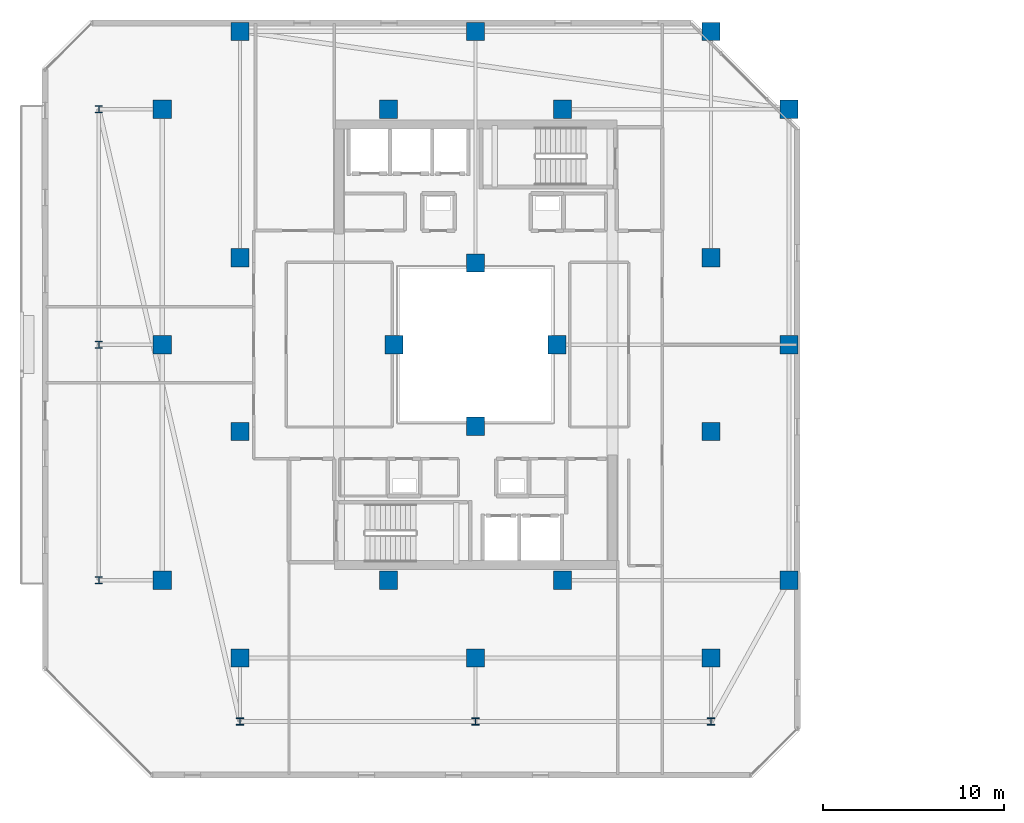
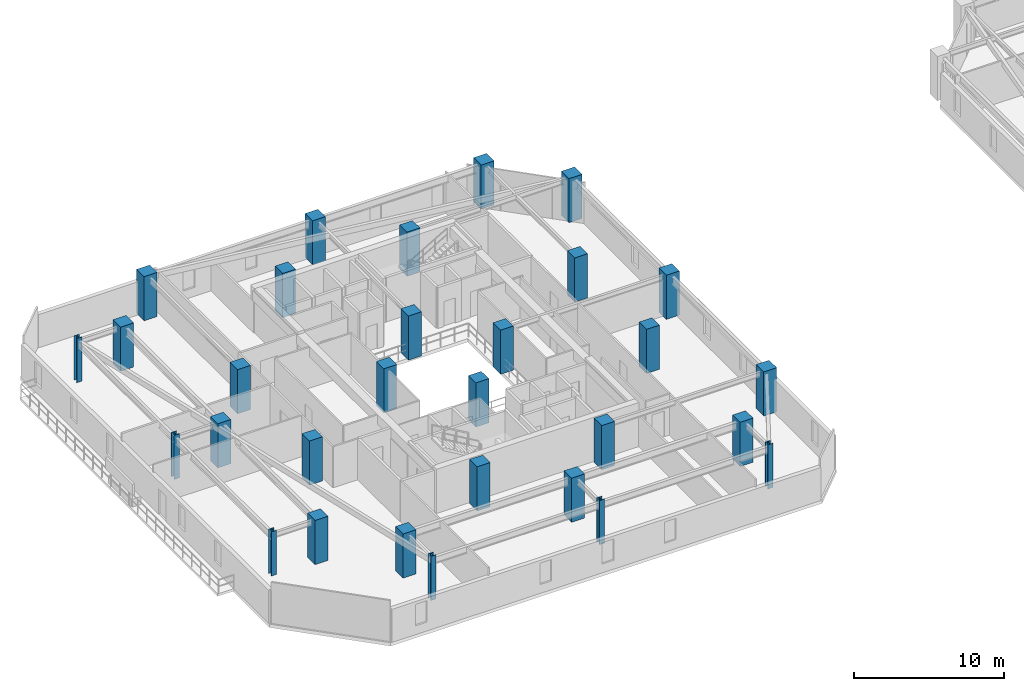
# One storey, part 1 of 31: 30 columns.
"""IFC4 building model written with IfcOpenShell, lengths in metres."""

from ifc_helpers import new_model, si_unit, direction, frame, origin, origin_2d, place, context, subcontext, project, spatial, rectangle, i_section, extrude, material, material_profile, profile_set, type_object, element, save


model = new_model("IFC4")

# Units and contexts
model_context = context("Model", 3, precision=1e-05, world=origin(), true_north=direction((0.0, 1.0)))
body_context = subcontext(model_context, "Body", "Model", "MODEL_VIEW")
ifc_project = project(units=[si_unit("LENGTHUNIT", "METRE"), si_unit("AREAUNIT", "SQUARE_METRE"), si_unit("VOLUMEUNIT", "CUBIC_METRE"), si_unit("PLANEANGLEUNIT", "RADIAN"), si_unit("MASSUNIT", "GRAM", prefix="KILO")], contexts=[model_context])

# Site, building, storey
site_placement = place(None, origin())
site = spatial("IfcSite", under=ifc_project, at=site_placement, CompositionType="ELEMENT")
building_placement = place(site_placement, origin())
building = spatial("IfcBuilding", under=site, at=building_placement, Name="Thornwick Lancets Civic Towers", CompositionType="ELEMENT")
storey_placement = place(building_placement, frame((0.0, 0.0, 233.10009765625)))
storey = spatial("IfcBuildingStorey", under=building, at=storey_placement, Name="L62", CompositionType="ELEMENT", Elevation=233.10009765625)

# Columns
ifc_material_1 = material(Name="Concrete C50/60", Category="concrete")
ifc_material_profile_1 = material_profile(ifc_material_1, rectangle(XDim=1.0, YDim=1.0, at=origin_2d()), Name="RC 1000x1000")
ifc_profile_set_1 = profile_set([ifc_material_profile_1], Name="Concrete C50/60")
column_type_1 = type_object("IfcColumnType", Name="COL_RC_1000", PredefinedType="COLUMN", material=ifc_profile_set_1)
for number, where, z_axis, x_axis, name in (
    (1, (12.5, 9.699951171875, 0.0), (0.0, 0.0, 1.0), (1.0, 0.0, 0.0), "L62 Spine Mega-Column A01"),
    (2, (25.5, 9.699951171875, 0.0), (0.0, 0.0, 1.0), (1.0, 0.0, 0.0), "L62 Spine Mega-Column A02"),
    (3, (38.5, 9.699951171875, 0.0), (0.0, 0.0, 1.0), (1.0, 0.0, 0.0), "L62 Spine Mega-Column A03"),
    (4, (42.800048828125, 14.0, 0.0), (0.0, 0.0, 1.0), (1.0, 0.0, 0.0), "L62 Spine Mega-Column A04"),
    (5, (42.800048828125, 27.0, 0.0), (0.0, 0.0, 1.0), (1.0, 0.0, 0.0), "L62 Spine Mega-Column A05"),
    (6, (42.800048828125, 40.0, 0.0), (0.0, 0.0, 1.0), (1.0, 0.0, 0.0), "L62 Spine Mega-Column A06"),
    (7, (12.5, 44.300048828125, 0.0), (0.0, 0.0, 1.0), (1.0, 0.0, 0.0), "L62 Spine Mega-Column A07"),
    (8, (25.5, 44.300048828125, 0.0), (0.0, 0.0, 1.0), (1.0, 0.0, 0.0), "L62 Spine Mega-Column A08"),
    (9, (38.5, 44.300048828125, 0.0), (0.0, 0.0, 1.0), (1.0, 0.0, 0.0), "L62 Spine Mega-Column A09"),
    (10, (8.199951171875, 14.0, 0.0), (0.0, 0.0, 1.0), (1.0, 0.0, 0.0), "L62 Spine Mega-Column A10"),
    (11, (8.199951171875, 27.0, 0.0), (0.0, 0.0, 1.0), (1.0, 0.0, 0.0), "L62 Spine Mega-Column A11"),
    (12, (8.199951171875, 40.0, 0.0), (0.0, 0.0, 1.0), (1.0, 0.0, 0.0), "L62 Spine Mega-Column A12"),
    (13, (12.5, 22.199951171875, 0.0), (0.0, 0.0, 1.0), (1.0, 0.0, 0.0), "L62 Spine Mega-Column A13"),
    (14, (38.5, 22.199951171875, 0.0), (0.0, 0.0, 1.0), (1.0, 0.0, 0.0), "L62 Spine Mega-Column A14"),
    (15, (12.5, 31.800048828125, 0.0), (0.0, 0.0, 1.0), (1.0, 0.0, 0.0), "L62 Spine Mega-Column A15"),
    (16, (38.5, 31.800048828125, 0.0), (0.0, 0.0, 1.0), (1.0, 0.0, 0.0), "L62 Spine Mega-Column A16"),
    (17, (20.699951171875, 14.0, 0.0), (0.0, 0.0, 1.0), (1.0, 0.0, 0.0), "L62 Spine Mega-Column A17"),
    (18, (30.300048828125, 14.0, 0.0), (0.0, 0.0, 1.0), (1.0, 0.0, 0.0), "L62 Spine Mega-Column A18"),
    (19, (20.699951171875, 40.0, 0.0), (0.0, 0.0, 1.0), (1.0, 0.0, 0.0), "L62 Spine Mega-Column A19"),
    (20, (30.300048828125, 40.0, 0.0), (0.0, 0.0, 1.0), (1.0, 0.0, 0.0), "L62 Spine Mega-Column A20"),
    (21, (25.5, 22.5, 0.0), (0.0, 0.0, 1.0), (1.0, 0.0, 0.0), "L62 Spine Mega-Column A21"),
    (22, (25.5, 31.5, 0.0), (0.0, 0.0, 1.0), (1.0, 0.0, 0.0), "L62 Spine Mega-Column A22"),
    (23, (21.0, 27.0, 0.0), (0.0, 0.0, 1.0), (1.0, 0.0, 0.0), "L62 Spine Mega-Column A23"),
    (24, (30.0, 27.0, 0.0), (0.0, 0.0, 1.0), (1.0, 0.0, 0.0), "L62 Spine Mega-Column A24"),
):
    element("IfcColumn", number, at=place(storey_placement, frame(where, z_axis=z_axis, x_axis=x_axis)), inside=storey, type_object=column_type_1, Name=name, PredefinedType="COLUMN", context=body_context, shape_type="SweptSolid", body=[
        extrude(rectangle(XDim=1.0, YDim=1.0, at=origin_2d()), origin(), (0.0, 0.0, 1.0), 3.599853515625),
    ])
ifc_material_2 = material(Name="Steel S355JR", Category="steel")
ifc_material_profile_2 = material_profile(ifc_material_2, i_section(OverallWidth=0.39892578125, OverallDepth=0.3935546875, WebThickness=0.022705078125, FlangeThickness=0.03662109375, FilletRadius=0.01513671875, at=origin_2d()), Name="UKC 356x406x287")
ifc_profile_set_2 = profile_set([ifc_material_profile_2], Name="Steel S355JR")
column_type_2 = type_object("IfcColumnType", Name="COL_UKC_287", PredefinedType="COLUMN", material=ifc_profile_set_2)
for number, where, z_axis, x_axis, name in (
    (25, (12.5, 6.199951171875, 0.0), (0.0, 0.0, 1.0), (1.0, 0.0, 0.0), "L62 Block Perimeter Column A01"),
    (26, (25.5, 6.199951171875, 0.0), (0.0, 0.0, 1.0), (1.0, 0.0, 0.0), "L62 Block Perimeter Column A02"),
    (27, (38.5, 6.199951171875, 0.0), (0.0, 0.0, 1.0), (1.0, 0.0, 0.0), "L62 Block Perimeter Column A03"),
    (28, (4.699951171875, 14.0, 0.0), (0.0, 0.0, 1.0), (1.0, 0.0, 0.0), "L62 Block Perimeter Column A10"),
    (29, (4.699951171875, 27.0, 0.0), (0.0, 0.0, 1.0), (1.0, 0.0, 0.0), "L62 Block Perimeter Column A11"),
    (30, (4.699951171875, 40.0, 0.0), (0.0, 0.0, 1.0), (1.0, 0.0, 0.0), "L62 Block Perimeter Column A12"),
):
    element("IfcColumn", number, at=place(storey_placement, frame(where, z_axis=z_axis, x_axis=x_axis)), inside=storey, type_object=column_type_2, Name=name, PredefinedType="COLUMN", context=body_context, shape_type="SweptSolid", body=[
        extrude(i_section(OverallWidth=0.39892578125, OverallDepth=0.3935546875, WebThickness=0.022705078125, FlangeThickness=0.03662109375, FilletRadius=0.01513671875, at=origin_2d()), origin(), (0.0, 0.0, 1.0), 3.599853515625),
    ])

save(model, "model.ifc")
